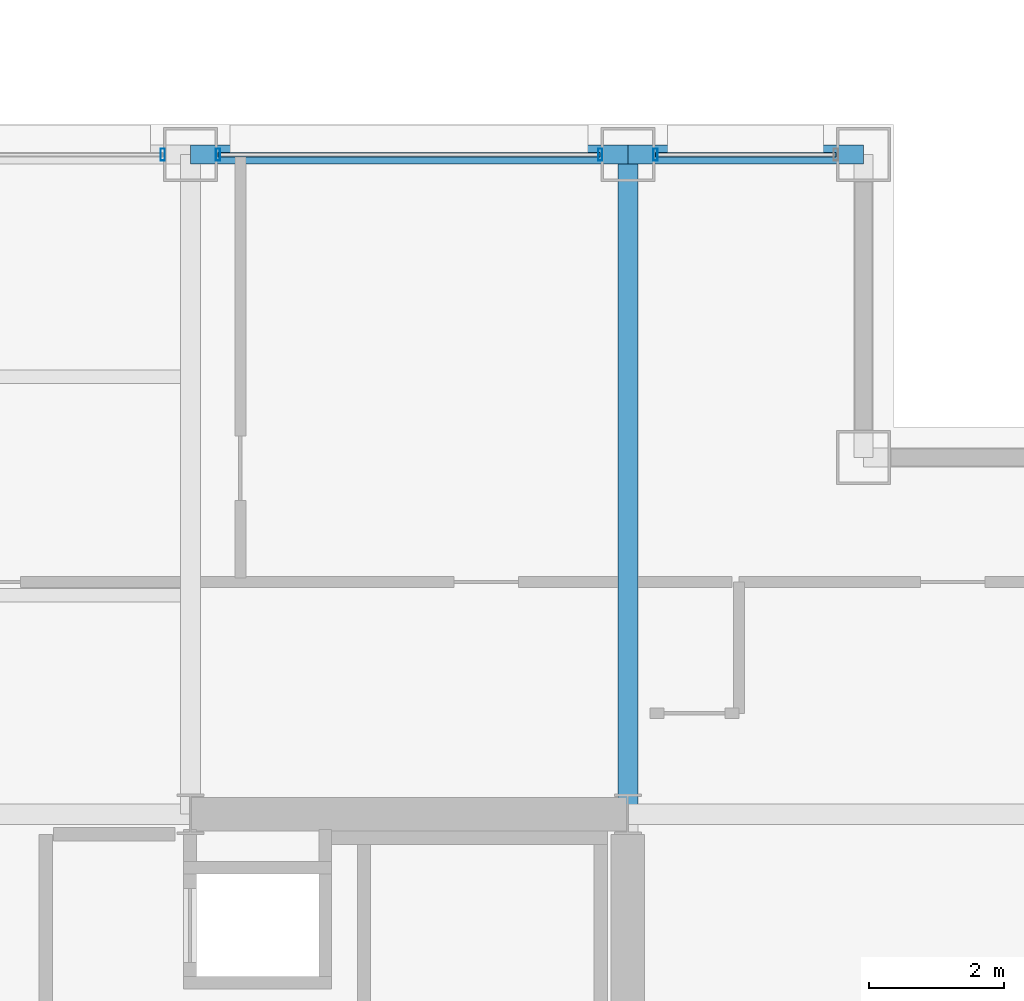
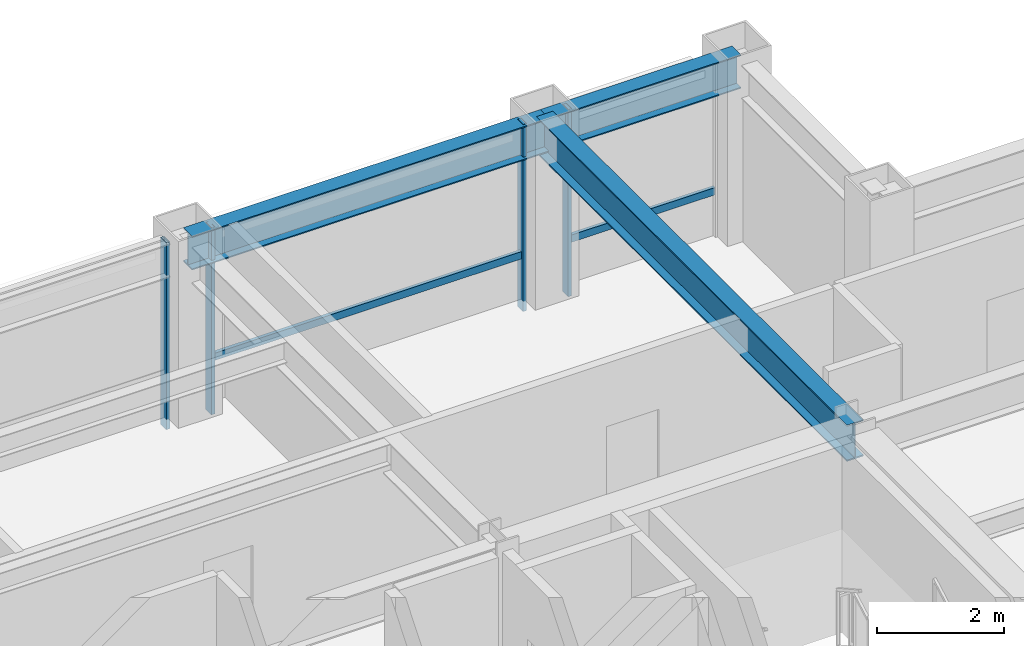
# One storey, part 21 of 28: 6 members, 3 beams, 3 elements without a shape of their own.
"""IFC4 building model written with IfcOpenShell, lengths in metres."""

from ifc_helpers import new_model, si_unit, direction, frame, origin, origin_2d, place, context, subcontext, project, spatial, hollow_rectangle, i_section, extrude, material, layer, layer_set, material_profile, profile_set, type_object, element, aggregate, save


model = new_model("IFC4")

# Units and contexts
model_context = context("Model", 3, precision=1e-05, world=origin(), true_north=direction((0.0, 1.0)))
body_context = subcontext(model_context, "Body", "Model", "MODEL_VIEW")
ifc_project = project(units=[si_unit("LENGTHUNIT", "METRE"), si_unit("AREAUNIT", "SQUARE_METRE"), si_unit("VOLUMEUNIT", "CUBIC_METRE"), si_unit("PLANEANGLEUNIT", "RADIAN"), si_unit("MASSUNIT", "GRAM", prefix="KILO")], contexts=[model_context])

# Site, building, storey
site_placement = place(None, origin())
site = spatial("IfcSite", under=ifc_project, at=site_placement, CompositionType="ELEMENT")
building_placement = place(site_placement, origin())
building = spatial("IfcBuilding", under=site, at=building_placement, Name="Brelmoor Portico Tower", CompositionType="ELEMENT")
storey_placement = place(building_placement, frame((0.0, 0.0, 142.199951171875)))
storey = spatial("IfcBuildingStorey", under=building, at=storey_placement, Name="L37", CompositionType="ELEMENT", Elevation=142.199951171875)

# Beams
ifc_material_1 = material(Name="Steel Q355B", Category="steel")
ifc_material_profile_1 = material_profile(ifc_material_1, i_section(OverallWidth=0.300048828125, OverallDepth=0.699951171875, WebThickness=0.012939453125, FlangeThickness=0.02392578125, at=origin_2d()), Name="HN 700x300x13x24")
ifc_profile_set_1 = profile_set([ifc_material_profile_1], Name="Steel Q355B")
beam_type_1 = type_object("IfcBeamType", Name="BM-PG-700", PredefinedType="BEAM", material=ifc_profile_set_1)
beam_1_placement = place(storey_placement, frame((14.550048828125, 9.75, 3.050048828125), z_axis=(0.0, 1.0, 0.0), x_axis=(-1.0, 0.0, 0.0)))
element("IfcBeam", 1, at=beam_1_placement, inside=storey, type_object=beam_type_1, Name="L37 Primary Floor Girder PG-13", PredefinedType="BEAM", context=body_context, shape_type="SweptSolid", body=[
    extrude(i_section(OverallWidth=0.300048828125, OverallDepth=0.699951171875, WebThickness=0.012939453125, FlangeThickness=0.02392578125, at=origin_2d()), origin(), (0.0, 0.0, 1.0), 9.800048828125),
])
ifc_material_profile_2 = material_profile(ifc_material_1, i_section(OverallWidth=0.280029296875, OverallDepth=0.64990234375, WebThickness=0.012939453125, FlangeThickness=0.02197265625, at=origin_2d()), Name="HN 650x280x13x22")
ifc_profile_set_2 = profile_set([ifc_material_profile_2], Name="Steel Q355B")
beam_type_2 = type_object("IfcBeamType", Name="BM-SP-650", PredefinedType="SPANDREL", material=ifc_profile_set_2)
beam_2_placement = place(storey_placement, frame((8.050048828125, 19.550048828125, 3.074951171875), z_axis=(1.0, 0.0, 0.0), x_axis=(0.0, 1.0, 0.0)))
element("IfcBeam", 2, at=beam_2_placement, inside=storey, type_object=beam_type_2, Name="L37 Perimeter Spandrel Beam SP-13", PredefinedType="SPANDREL", context=body_context, shape_type="SweptSolid", body=[
    extrude(i_section(OverallWidth=0.280029296875, OverallDepth=0.64990234375, WebThickness=0.012939453125, FlangeThickness=0.02197265625, at=origin_2d()), origin(), (0.0, 0.0, 1.0), 6.5),
])
beam_3_placement = place(storey_placement, frame((14.550048828125, 19.550048828125, 3.074951171875), z_axis=(1.0, 0.0, 0.0), x_axis=(0.0, 1.0, 0.0)))
element("IfcBeam", 3, at=beam_3_placement, inside=storey, type_object=beam_type_2, Name="L37 Perimeter Spandrel Beam SP-14", PredefinedType="SPANDREL", context=body_context, shape_type="SweptSolid", body=[
    extrude(i_section(OverallWidth=0.280029296875, OverallDepth=0.64990234375, WebThickness=0.012939453125, FlangeThickness=0.02197265625, at=origin_2d()), origin(), (0.0, 0.0, 1.0), 3.5),
])

# Curtain wall, member
ifc_material_2 = material(Name="Anodised Aluminium Alloy 6063-T6", Category="aluminium")
ifc_layer = layer(ifc_material_2, 0.179931640625)
ifc_layer_set = layer_set([ifc_layer], Name="Anodised Aluminium Alloy 6063-T6")
curtain_wall_type = type_object("IfcCurtainWallType", Name="CW-TOWER-Z2", PredefinedType="NOTDEFINED", material=ifc_layer_set)
curtain_wall_1_placement = place(storey_placement, origin())
curtain_wall_1 = element("IfcCurtainWall", 4, at=curtain_wall_1_placement, inside=storey, type_object=curtain_wall_type, Name="L37 Curtain Wall CW-L37-02-3", PredefinedType="NOTDEFINED")
ifc_material_profile_3 = material_profile(ifc_material_2, hollow_rectangle(XDim=0.06494140625, YDim=0.179931640625, WallThickness=0.00390625, at=origin_2d()), Name="ALU MULLION 65x180")
ifc_profile_set_3 = profile_set([ifc_material_profile_3], Name="Anodised Aluminium Alloy 6063-T6")
member_type_1 = type_object("IfcMemberType", Name="MB-CW-MULL-180", PredefinedType="MULLION", material=ifc_profile_set_3)
member_1_placement = place(storey_placement, frame((7.639892578125, 19.550048828125, -0.199951171875), z_axis=(0.0, 0.0, 1.0), x_axis=(1.0, 0.0, 0.0)))
member_1 = element("IfcMember", 5, at=member_1_placement, type_object=member_type_1, Name="CW-L37-02-3 Mullion 01", PredefinedType="MULLION", context=body_context, shape_type="SweptSolid", body=[
    extrude(hollow_rectangle(XDim=0.06494140625, YDim=0.179931640625, WallThickness=0.00390625, at=origin_2d()), origin(), (0.0, 0.0, 1.0), 3.60009765625),
])
aggregate(curtain_wall_1, [member_1])

# Curtain wall, members
curtain_wall_2_placement = place(storey_placement, origin())
curtain_wall_2 = element("IfcCurtainWall", 6, at=curtain_wall_2_placement, inside=storey, type_object=curtain_wall_type, Name="L37 Curtain Wall CW-L37-02-4", PredefinedType="NOTDEFINED")
member_2_placement = place(storey_placement, frame((8.4599609375, 19.550048828125, -0.199951171875), z_axis=(0.0, 0.0, 1.0), x_axis=(1.0, 0.0, 0.0)))
member_2 = element("IfcMember", 7, at=member_2_placement, type_object=member_type_1, Name="CW-L37-02-4 Mullion 00", PredefinedType="MULLION", context=body_context, shape_type="SweptSolid", body=[
    extrude(hollow_rectangle(XDim=0.06494140625, YDim=0.179931640625, WallThickness=0.00390625, at=origin_2d()), origin(), (0.0, 0.0, 1.0), 3.60009765625),
])
member_3_placement = place(storey_placement, frame((14.139892578125, 19.550048828125, -0.199951171875), z_axis=(0.0, 0.0, 1.0), x_axis=(1.0, 0.0, 0.0)))
member_3 = element("IfcMember", 8, at=member_3_placement, type_object=member_type_1, Name="CW-L37-02-4 Mullion 01", PredefinedType="MULLION", context=body_context, shape_type="SweptSolid", body=[
    extrude(hollow_rectangle(XDim=0.06494140625, YDim=0.179931640625, WallThickness=0.00390625, at=origin_2d()), origin(), (0.0, 0.0, 1.0), 3.60009765625),
])

# Curtain wall, member
curtain_wall_3_placement = place(storey_placement, origin())
curtain_wall_3 = element("IfcCurtainWall", 9, at=curtain_wall_3_placement, inside=storey, type_object=curtain_wall_type, Name="L37 Curtain Wall CW-L37-02-5", PredefinedType="NOTDEFINED")
member_4_placement = place(storey_placement, frame((14.9599609375, 19.550048828125, -0.199951171875), z_axis=(0.0, 0.0, 1.0), x_axis=(1.0, 0.0, 0.0)))
member_4 = element("IfcMember", 10, at=member_4_placement, type_object=member_type_1, Name="CW-L37-02-5 Mullion 00", PredefinedType="MULLION", context=body_context, shape_type="SweptSolid", body=[
    extrude(hollow_rectangle(XDim=0.06494140625, YDim=0.179931640625, WallThickness=0.00390625, at=origin_2d()), origin(), (0.0, 0.0, 1.0), 3.60009765625),
])

# Member
ifc_material_profile_4 = material_profile(ifc_material_2, hollow_rectangle(XDim=0.06494140625, YDim=0.139892578125, WallThickness=0.00390625, at=origin_2d()), Name="ALU TRANSOM 65x140")
ifc_profile_set_4 = profile_set([ifc_material_profile_4], Name="Anodised Aluminium Alloy 6063-T6")
member_type_2 = type_object("IfcMemberType", Name="MB-CW-TRAN-140", PredefinedType="USERDEFINED", material=ifc_profile_set_4)
member_5_placement = place(storey_placement, frame((8.4599609375, 19.550048828125, 0.85009765625), z_axis=(1.0, 0.0, 0.0), x_axis=(0.0, 1.0, 0.0)))
member_5 = element("IfcMember", 11, at=member_5_placement, type_object=member_type_2, Name="CW-L37-02-4 Transom 1-00", ObjectType="TRANSOM", PredefinedType="USERDEFINED", context=body_context, shape_type="SweptSolid", body=[
    extrude(hollow_rectangle(XDim=0.06494140625, YDim=0.139892578125, WallThickness=0.00390625, at=origin_2d()), origin(), (0.0, 0.0, 1.0), 5.679931640625),
])

aggregate(curtain_wall_2, [member_2, member_3, member_5])

member_6_placement = place(storey_placement, frame((14.9599609375, 19.550048828125, 0.85009765625), z_axis=(1.0, 0.0, 0.0), x_axis=(0.0, 1.0, 0.0)))
member_6 = element("IfcMember", 12, at=member_6_placement, type_object=member_type_2, Name="CW-L37-02-5 Transom 1-00", ObjectType="TRANSOM", PredefinedType="USERDEFINED", context=body_context, shape_type="SweptSolid", body=[
    extrude(hollow_rectangle(XDim=0.06494140625, YDim=0.139892578125, WallThickness=0.00390625, at=origin_2d()), origin(), (0.0, 0.0, 1.0), 2.679931640625),
])

aggregate(curtain_wall_3, [member_4, member_6])

save(model, "model.ifc")
